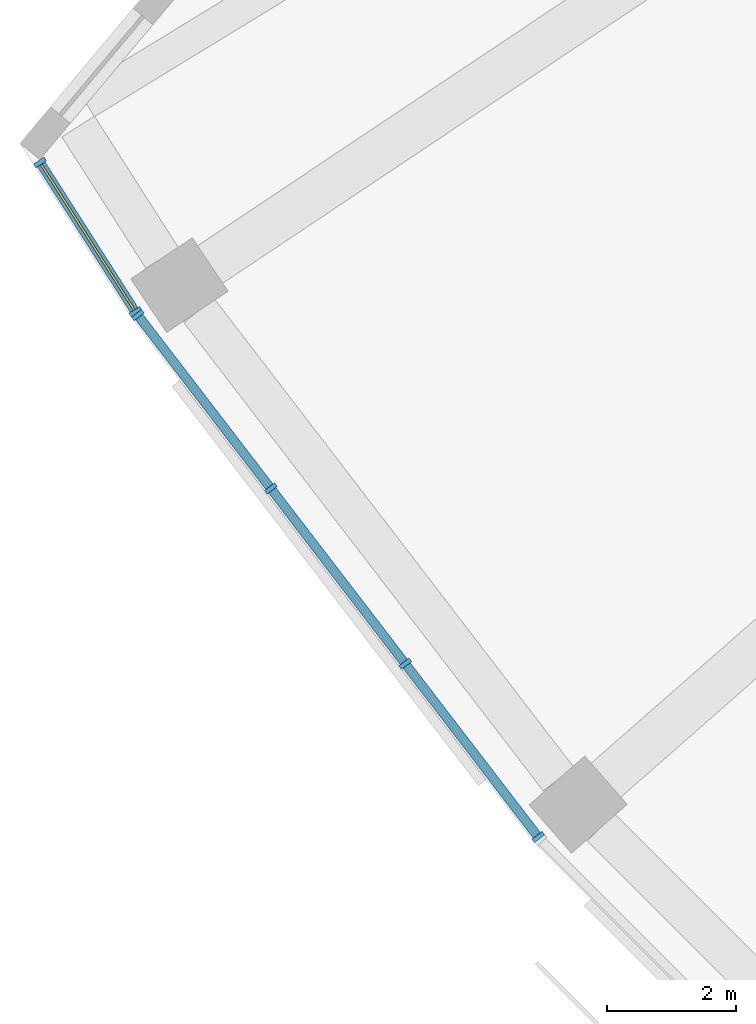
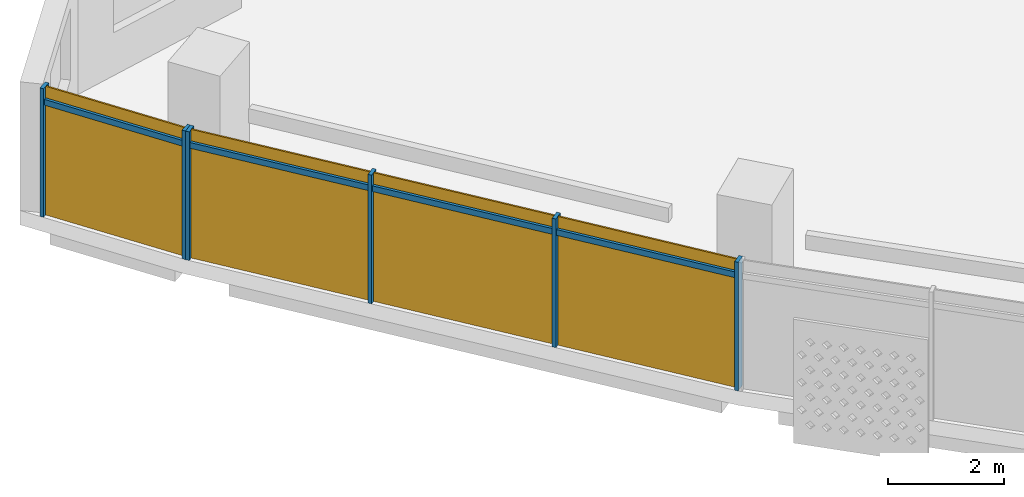
# One storey, part 19 of 27: 10 members, 2 curtain walls.
"""IFC4 building model written with IfcOpenShell, lengths in metres."""

from ifc_helpers import new_model, si_unit, direction, frame, origin, origin_2d, place, context, subcontext, project, spatial, rectangle, extrude, material, material_profile, profile_set, type_object, element, aggregate, save


model = new_model("IFC4")

# Units and contexts
model_context = context("Model", 3, precision=1e-05, world=origin(), true_north=direction((0.0, 1.0)))
body_context = subcontext(model_context, "Body", "Model", "MODEL_VIEW")
ifc_project = project(units=[si_unit("LENGTHUNIT", "METRE"), si_unit("AREAUNIT", "SQUARE_METRE"), si_unit("VOLUMEUNIT", "CUBIC_METRE"), si_unit("PLANEANGLEUNIT", "RADIAN"), si_unit("MASSUNIT", "GRAM", prefix="KILO")], contexts=[model_context])

# Member
ifc_material = material(Name="Aluminium 6063-T6 anodised", Category="aluminium")
ifc_material_profile_1 = material_profile(ifc_material, rectangle(XDim=0.199951171875, YDim=0.070068359375, at=origin_2d()))
ifc_profile_set_1 = profile_set([ifc_material_profile_1], Name="Aluminium 6063-T6 anodised")
member_type_1 = type_object("IfcMemberType", Name="Mullion 70 x 200 aluminium", PredefinedType="MULLION", material=ifc_profile_set_1)
site_placement = place(None, origin())
building_placement = place(site_placement, origin())
storey_placement = place(building_placement, frame((0.0, 0.0, 237.89990234375)))
member_1_placement = place(storey_placement, frame((-66.8125, -41.292236328125, 0.0), z_axis=(0.0, 0.0, 1.0), x_axis=(0.842628616007, 0.538495139706, 0.0)))
member_1 = element("IfcMember", 1, at=member_1_placement, type_object=member_type_1, Name="e-cw1-L57-out00/M00", PredefinedType="MULLION", context=body_context, shape_type="SweptSolid", body=[
    extrude(rectangle(XDim=0.199951171875, YDim=0.070068359375, at=origin_2d()), origin(), (0.0, 0.0, 1.0), 2.7001953125),
])

member_2_placement = place(storey_placement, frame((-65.32958984375, -43.6123046875, 0.0), z_axis=(0.0, 0.0, 1.0), x_axis=(0.842628616007, 0.538495139706, 0.0)))
member_2 = element("IfcMember", 2, at=member_2_placement, type_object=member_type_1, Name="e-cw1-L57-out00/M01", PredefinedType="MULLION", context=body_context, shape_type="SweptSolid", body=[
    extrude(rectangle(XDim=0.199951171875, YDim=0.070068359375, at=origin_2d()), origin(), (0.0, 0.0, 1.0), 2.7001953125),
])

member_3_placement = place(storey_placement, frame((-65.29443359375, -43.66259765625, 0.0), z_axis=(0.0, 0.0, 1.0), x_axis=(0.793353340291, 0.608761429009, 0.0)))
member_3 = element("IfcMember", 3, at=member_3_placement, type_object=member_type_1, Name="e-cw1-L57-out01/M00", PredefinedType="MULLION", context=body_context, shape_type="SweptSolid", body=[
    extrude(rectangle(XDim=0.199951171875, YDim=0.070068359375, at=origin_2d()), origin(), (0.0, 0.0, 1.0), 2.7001953125),
])

member_4_placement = place(storey_placement, frame((-63.22802734375, -46.35546875, 0.0), z_axis=(0.0, 0.0, 1.0), x_axis=(0.793353340291, 0.608761429009, 0.0)))
member_4 = element("IfcMember", 4, at=member_4_placement, type_object=member_type_1, Name="e-cw1-L57-out01/M01", PredefinedType="MULLION", context=body_context, shape_type="SweptSolid", body=[
    extrude(rectangle(XDim=0.199951171875, YDim=0.070068359375, at=origin_2d()), origin(), (0.0, 0.0, 1.0), 2.7001953125),
])

member_5_placement = place(storey_placement, frame((-61.140380859375, -49.075927734375, 0.0), z_axis=(0.0, 0.0, 1.0), x_axis=(0.793353340291, 0.608761429009, 0.0)))
member_5 = element("IfcMember", 5, at=member_5_placement, type_object=member_type_1, Name="e-cw1-L57-out01/M02", PredefinedType="MULLION", context=body_context, shape_type="SweptSolid", body=[
    extrude(rectangle(XDim=0.199951171875, YDim=0.070068359375, at=origin_2d()), origin(), (0.0, 0.0, 1.0), 2.7001953125),
])

member_6_placement = place(storey_placement, frame((-59.07421875, -51.768798828125, 0.0), z_axis=(0.0, 0.0, 1.0), x_axis=(0.793353340291, 0.608761429009, 0.0)))
member_6 = element("IfcMember", 6, at=member_6_placement, type_object=member_type_1, Name="e-cw1-L57-out01/M03", PredefinedType="MULLION", context=body_context, shape_type="SweptSolid", body=[
    extrude(rectangle(XDim=0.199951171875, YDim=0.070068359375, at=origin_2d()), origin(), (0.0, 0.0, 1.0), 2.7001953125),
])

ifc_material_profile_2 = material_profile(ifc_material, rectangle(XDim=0.139892578125, YDim=0.1201171875, at=origin_2d()))
ifc_profile_set_2 = profile_set([ifc_material_profile_2], Name="Aluminium 6063-T6 anodised")
member_type_2 = type_object("IfcMemberType", Name="Transom 120 x 140 aluminium", PredefinedType="USERDEFINED", material=ifc_profile_set_2)
member_7_placement = place(storey_placement, frame((-66.79345703125, -41.321533203125, 2.400146484375), z_axis=(0.538428760007, -0.84267103332, 0.0), x_axis=(0.84267103332, 0.538428760007, 0.0)))
member_7 = element("IfcMember", 7, at=member_7_placement, type_object=member_type_2, Name="e-cw1-L57-out00/T00", ObjectType="TRANSOM", PredefinedType="USERDEFINED", context=body_context, shape_type="SweptSolid", body=[
    extrude(rectangle(XDim=0.139892578125, YDim=0.1201171875, at=origin_2d()), origin(), (0.0, 0.0, 1.0), 2.683349609375),
])

member_8_placement = place(storey_placement, frame((-65.273193359375, -43.690185546875, 2.400146484375), z_axis=(0.608741393132, -0.793368713958, 0.0), x_axis=(0.793368713958, 0.608741393132, 0.0)))
member_8 = element("IfcMember", 8, at=member_8_placement, type_object=member_type_2, Name="e-cw1-L57-out01/T00", ObjectType="TRANSOM", PredefinedType="USERDEFINED", context=body_context, shape_type="SweptSolid", body=[
    extrude(rectangle(XDim=0.139892578125, YDim=0.1201171875, at=origin_2d()), origin(), (0.0, 0.0, 1.0), 3.324462890625),
])

member_9_placement = place(storey_placement, frame((-63.206787109375, -46.383056640625, 2.400146484375), z_axis=(0.608719861247, -0.793385234627, 0.0), x_axis=(0.793385234627, 0.608719861247, 0.0)))
member_9 = element("IfcMember", 9, at=member_9_placement, type_object=member_type_2, Name="e-cw1-L57-out01/T01", ObjectType="TRANSOM", PredefinedType="USERDEFINED", context=body_context, shape_type="SweptSolid", body=[
    extrude(rectangle(XDim=0.139892578125, YDim=0.1201171875, at=origin_2d()), origin(), (0.0, 0.0, 1.0), 3.359375),
])

member_10_placement = place(storey_placement, frame((-61.119140625, -49.103759765625, 2.400146484375), z_axis=(0.608741393132, -0.793368713958, 0.0), x_axis=(0.793368713958, 0.608741393132, 0.0)))
member_10 = element("IfcMember", 10, at=member_10_placement, type_object=member_type_2, Name="e-cw1-L57-out01/T02", ObjectType="TRANSOM", PredefinedType="USERDEFINED", context=body_context, shape_type="SweptSolid", body=[
    extrude(rectangle(XDim=0.139892578125, YDim=0.1201171875, at=origin_2d()), origin(), (0.0, 0.0, 1.0), 3.324462890625),
])

# Site, building, storey
site = spatial("IfcSite", under=ifc_project, at=site_placement, CompositionType="ELEMENT")
building = spatial("IfcBuilding", under=site, at=building_placement, Name="Qamariyya Broadcast Tower", CompositionType="ELEMENT")
storey = spatial("IfcBuildingStorey", under=building, at=storey_placement, Name="L57", CompositionType="ELEMENT", Elevation=237.89990234375)

# Curtain wall
curtain_wall_type = type_object("IfcCurtainWallType", Name="Unitised curtain wall, anodised aluminium", PredefinedType="NOTDEFINED", material=ifc_material)
curtain_wall_1_placement = place(storey_placement, origin())
curtain_wall_1 = element("IfcCurtainWall", 11, at=curtain_wall_1_placement, inside=storey, type_object=curtain_wall_type, Name="e-cw1-L57-out00", PredefinedType="NOTDEFINED", context=body_context, shape_type="SweptSolid", body=[
    extrude(rectangle(XDim=2.68359375, YDim=0.031982421875, at=origin_2d()), frame((-66.071044921875, -42.4521484375, 0.0), x_axis=(0.538513783083, -0.842616701371, 0.0)), (0.0, 0.0, 1.0), 2.340087890625),
    extrude(rectangle(XDim=2.68359375, YDim=0.031982421875, at=origin_2d()), frame((-66.071044921875, -42.4521484375, 2.460205078125), x_axis=(0.538513783083, -0.842616701371, 0.0)), (0.0, 0.0, 1.0), 0.239990234375),
])

aggregate(curtain_wall_1, [member_1, member_2, member_7])

curtain_wall_2_placement = place(storey_placement, origin())
curtain_wall_2 = element("IfcCurtainWall", 12, at=curtain_wall_2_placement, inside=storey, type_object=curtain_wall_type, Name="e-cw1-L57-out01", PredefinedType="NOTDEFINED", context=body_context, shape_type="SweptSolid", body=[
    extrude(rectangle(XDim=3.32421875, YDim=0.031982421875, at=origin_2d()), frame((-64.26123046875, -45.009033203125, 0.0), x_axis=(0.608753833159, -0.793359168734, 0.0)), (0.0, 0.0, 1.0), 2.340087890625),
    extrude(rectangle(XDim=3.32421875, YDim=0.031982421875, at=origin_2d()), frame((-64.26123046875, -45.009033203125, 2.460205078125), x_axis=(0.608753833159, -0.793359168734, 0.0)), (0.0, 0.0, 1.0), 0.239990234375),
    extrude(rectangle(XDim=3.359130859375, YDim=0.031982421875, at=origin_2d()), frame((-62.184326171875, -47.7158203125, 0.0), x_axis=(0.608753833159, -0.793359168734, 0.0)), (0.0, 0.0, 1.0), 2.340087890625),
    extrude(rectangle(XDim=3.359130859375, YDim=0.031982421875, at=origin_2d()), frame((-62.184326171875, -47.7158203125, 2.460205078125), x_axis=(0.608753833159, -0.793359168734, 0.0)), (0.0, 0.0, 1.0), 0.239990234375),
    extrude(rectangle(XDim=3.32421875, YDim=0.031982421875, at=origin_2d()), frame((-60.107421875, -50.42236328125, 0.0), x_axis=(0.608753833159, -0.793359168734, 0.0)), (0.0, 0.0, 1.0), 2.340087890625),
    extrude(rectangle(XDim=3.32421875, YDim=0.031982421875, at=origin_2d()), frame((-60.107421875, -50.42236328125, 2.460205078125), x_axis=(0.608753833159, -0.793359168734, 0.0)), (0.0, 0.0, 1.0), 0.239990234375),
])

aggregate(curtain_wall_2, [member_3, member_4, member_5, member_6, member_8, member_9, member_10])

save(model, "model.ifc")
